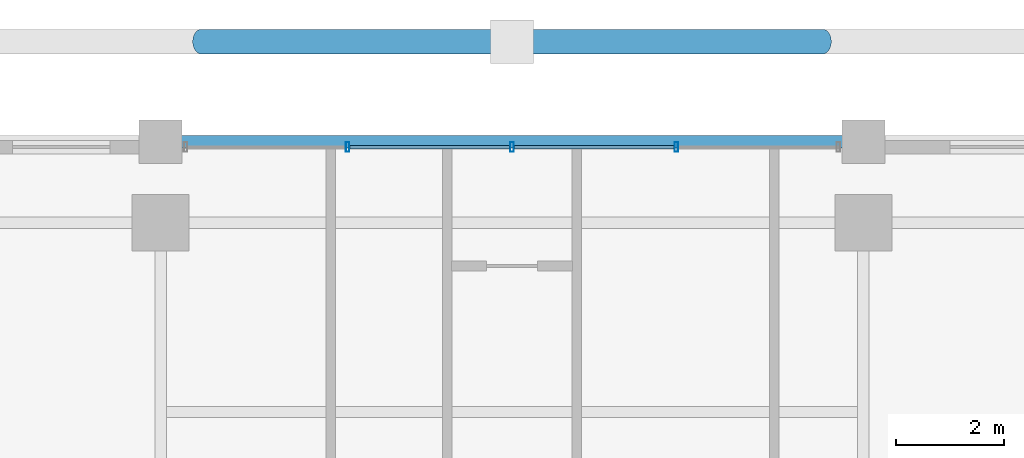
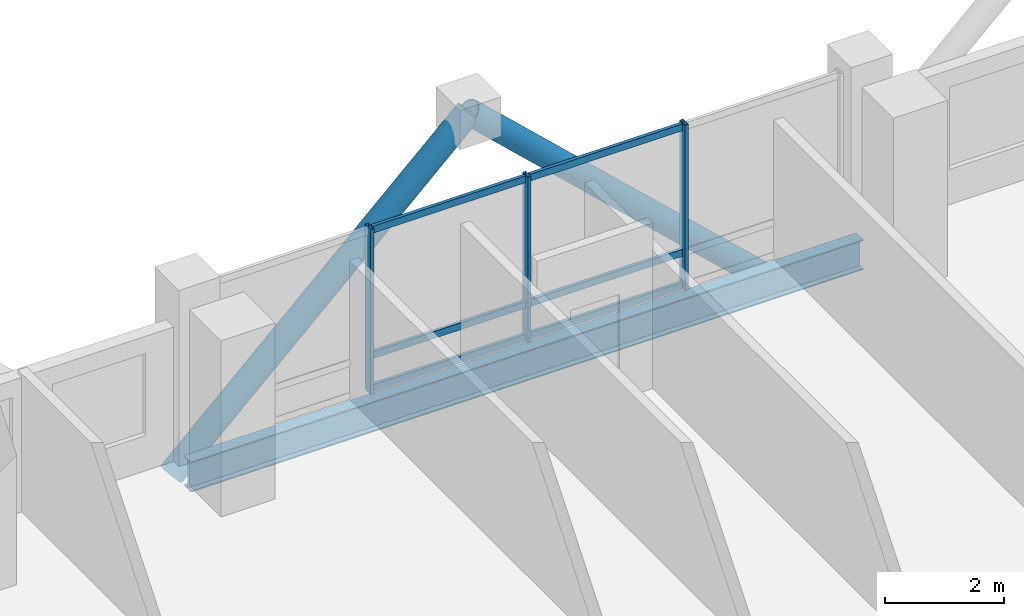
# One storey, part 15 of 23: 11 members, 1 beam, 1 element without a shape of its own.
"""IFC4 building model written with IfcOpenShell, lengths in metres."""

from ifc_helpers import new_model, si_unit, direction, frame, origin, origin_2d, place, context, subcontext, project, spatial, hollow_rectangle, hollow_circle, i_section, extrude, material, layer, layer_set, material_profile, profile_set, type_object, element, aggregate, save


model = new_model("IFC4")

# Units and contexts
model_context = context("Model", 3, precision=1e-05, world=origin(), true_north=direction((0.0, 1.0)))
body_context = subcontext(model_context, "Body", "Model", "MODEL_VIEW")
ifc_project = project(units=[si_unit("LENGTHUNIT", "METRE"), si_unit("AREAUNIT", "SQUARE_METRE"), si_unit("VOLUMEUNIT", "CUBIC_METRE"), si_unit("PLANEANGLEUNIT", "RADIAN"), si_unit("MASSUNIT", "GRAM", prefix="KILO")], contexts=[model_context])

# Site, building, storey
site_placement = place(None, origin())
site = spatial("IfcSite", under=ifc_project, at=site_placement, CompositionType="ELEMENT")
building_placement = place(site_placement, origin())
building = spatial("IfcBuilding", under=site, at=building_placement, Name="Barlavira Tower and Art Museum", CompositionType="ELEMENT")
storey_placement = place(building_placement, frame((0.0, 0.0, 205.199951171875)))
storey = spatial("IfcBuildingStorey", under=building, at=storey_placement, Name="L53", CompositionType="ELEMENT", Elevation=205.199951171875)

# Curtain wall, members
ifc_material_1 = material(Name="Low-iron coastal laminated glass", Category="glass")
ifc_layer = layer(ifc_material_1, 0.199951171875, Name="Low-iron coastal laminated glass")
ifc_layer_set = layer_set([ifc_layer], Name="Low-iron coastal laminated glass")
curtain_wall_type = type_object("IfcCurtainWallType", Name="Pale-Metal Unitised Curtain Wall Zone 3", PredefinedType="NOTDEFINED", material=ifc_layer_set)
curtain_wall_placement = place(storey_placement, origin())
curtain_wall = element("IfcCurtainWall", 1, at=curtain_wall_placement, inside=storey, type_object=curtain_wall_type, Name="L53 Curtain Wall CW3-L53-N-B3", PredefinedType="NOTDEFINED")
ifc_material_2 = material(Name="Pale anodised aluminium", Category="aluminium")
ifc_material_profile_1 = material_profile(ifc_material_2, hollow_rectangle(XDim=0.06494140625, YDim=0.179931640625, WallThickness=0.00390625, at=origin_2d()), Name="ALU-MULL 65x180x4")
ifc_profile_set_1 = profile_set([ifc_material_profile_1], Name="Pale anodised aluminium")
member_type_1 = type_object("IfcMemberType", Name="Curtain Wall Pale-Metal Mullion 65x180", PredefinedType="MULLION", material=ifc_profile_set_1)
member_1_placement = place(storey_placement, frame((3.0400390625, 21.39990234375, 0.0), z_axis=(0.0, 0.0, 1.0), x_axis=(-1.0, 0.0, 0.0)))
member_1 = element("IfcMember", 2, at=member_1_placement, type_object=member_type_1, Name="CW3-L53-N-B3 Mullion 1", PredefinedType="MULLION", context=body_context, shape_type="SweptSolid", body=[
    extrude(hollow_rectangle(XDim=0.06494140625, YDim=0.179931640625, WallThickness=0.00390625, at=origin_2d()), origin(), (0.0, 0.0, 1.0), 3.380126953125),
])
member_2_placement = place(storey_placement, frame((0.0, 21.39990234375, 0.0), z_axis=(0.0, 0.0, 1.0), x_axis=(-1.0, 0.0, 0.0)))
member_2 = element("IfcMember", 3, at=member_2_placement, type_object=member_type_1, Name="CW3-L53-N-B3 Mullion 2", PredefinedType="MULLION", context=body_context, shape_type="SweptSolid", body=[
    extrude(hollow_rectangle(XDim=0.06494140625, YDim=0.179931640625, WallThickness=0.00390625, at=origin_2d()), origin(), (0.0, 0.0, 1.0), 3.380126953125),
])
member_3_placement = place(storey_placement, frame((-3.0400390625, 21.39990234375, 0.0), z_axis=(0.0, 0.0, 1.0), x_axis=(-1.0, 0.0, 0.0)))
member_3 = element("IfcMember", 4, at=member_3_placement, type_object=member_type_1, Name="CW3-L53-N-B3 Mullion 3", PredefinedType="MULLION", context=body_context, shape_type="SweptSolid", body=[
    extrude(hollow_rectangle(XDim=0.06494140625, YDim=0.179931640625, WallThickness=0.00390625, at=origin_2d()), origin(), (0.0, 0.0, 1.0), 3.380126953125),
])
ifc_material_profile_2 = material_profile(ifc_material_2, hollow_rectangle(XDim=0.06494140625, YDim=0.139892578125, WallThickness=0.00390625, at=origin_2d()), Name="ALU-TRAN 65x140x4")
ifc_profile_set_2 = profile_set([ifc_material_profile_2], Name="Pale anodised aluminium")
member_type_2 = type_object("IfcMemberType", Name="Curtain Wall Pale-Metal Transom 65x140", PredefinedType="USERDEFINED", material=ifc_profile_set_2)
member_4_placement = place(storey_placement, frame((2.9951171875, 21.39990234375, 0.070068359375), z_axis=(-1.0, 0.0, 0.0), x_axis=(0.0, -1.0, 0.0)))
member_4 = element("IfcMember", 5, at=member_4_placement, type_object=member_type_2, Name="CW3-L53-N-B3 Transom 1.1", ObjectType="TRANSOM", PredefinedType="USERDEFINED", context=body_context, shape_type="SweptSolid", body=[
    extrude(hollow_rectangle(XDim=0.06494140625, YDim=0.139892578125, WallThickness=0.00390625, at=origin_2d()), origin(), (0.0, 0.0, 1.0), 2.9501953125),
])
member_5_placement = place(storey_placement, frame((2.9951171875, 21.39990234375, 0.744140625), z_axis=(-1.0, 0.0, 0.0), x_axis=(0.0, -1.0, 0.0)))
member_5 = element("IfcMember", 6, at=member_5_placement, type_object=member_type_2, Name="CW3-L53-N-B3 Transom 1.2", ObjectType="TRANSOM", PredefinedType="USERDEFINED", context=body_context, shape_type="SweptSolid", body=[
    extrude(hollow_rectangle(XDim=0.06494140625, YDim=0.139892578125, WallThickness=0.00390625, at=origin_2d()), origin(), (0.0, 0.0, 1.0), 2.9501953125),
])
member_6_placement = place(storey_placement, frame((2.9951171875, 21.39990234375, 3.31005859375), z_axis=(-1.0, 0.0, 0.0), x_axis=(0.0, -1.0, 0.0)))
member_6 = element("IfcMember", 7, at=member_6_placement, type_object=member_type_2, Name="CW3-L53-N-B3 Transom 1.3", ObjectType="TRANSOM", PredefinedType="USERDEFINED", context=body_context, shape_type="SweptSolid", body=[
    extrude(hollow_rectangle(XDim=0.06494140625, YDim=0.139892578125, WallThickness=0.00390625, at=origin_2d()), origin(), (0.0, 0.0, 1.0), 2.9501953125),
])
member_7_placement = place(storey_placement, frame((-0.044921875, 21.39990234375, 0.070068359375), z_axis=(-1.0, 0.0, 0.0), x_axis=(0.0, -1.0, 0.0)))
member_7 = element("IfcMember", 8, at=member_7_placement, type_object=member_type_2, Name="CW3-L53-N-B3 Transom 2.1", ObjectType="TRANSOM", PredefinedType="USERDEFINED", context=body_context, shape_type="SweptSolid", body=[
    extrude(hollow_rectangle(XDim=0.06494140625, YDim=0.139892578125, WallThickness=0.00390625, at=origin_2d()), origin(), (0.0, 0.0, 1.0), 2.9501953125),
])
member_8_placement = place(storey_placement, frame((-0.044921875, 21.39990234375, 0.744140625), z_axis=(-1.0, 0.0, 0.0), x_axis=(0.0, -1.0, 0.0)))
member_8 = element("IfcMember", 9, at=member_8_placement, type_object=member_type_2, Name="CW3-L53-N-B3 Transom 2.2", ObjectType="TRANSOM", PredefinedType="USERDEFINED", context=body_context, shape_type="SweptSolid", body=[
    extrude(hollow_rectangle(XDim=0.06494140625, YDim=0.139892578125, WallThickness=0.00390625, at=origin_2d()), origin(), (0.0, 0.0, 1.0), 2.9501953125),
])
member_9_placement = place(storey_placement, frame((-0.044921875, 21.39990234375, 3.31005859375), z_axis=(-1.0, 0.0, 0.0), x_axis=(0.0, -1.0, 0.0)))
member_9 = element("IfcMember", 10, at=member_9_placement, type_object=member_type_2, Name="CW3-L53-N-B3 Transom 2.3", ObjectType="TRANSOM", PredefinedType="USERDEFINED", context=body_context, shape_type="SweptSolid", body=[
    extrude(hollow_rectangle(XDim=0.06494140625, YDim=0.139892578125, WallThickness=0.00390625, at=origin_2d()), origin(), (0.0, 0.0, 1.0), 2.9501953125),
])
aggregate(curtain_wall, [member_1, member_2, member_3, member_4, member_5, member_6, member_7, member_8, member_9])

# Members
ifc_material_3 = material(Name="Steel S355", Category="steel")
ifc_material_profile_3 = material_profile(ifc_material_3, hollow_circle(Radius=0.228515625, WallThickness=0.02001953125, at=origin_2d()), Name="CHS 457.0x20.0")
ifc_profile_set_3 = profile_set([ifc_material_profile_3], Name="Steel S355")
member_type_3 = type_object("IfcMemberType", Name="Pale-Metal Exoskeleton Diagrid Tube CHS 457x20 Steel S355", PredefinedType="BRACE", material=ifc_profile_set_3)
for number, where, z_axis, x_axis, name in (
    (11, (-5.75, 23.35009765625, -1.919921875), (0.728950095515, 0.0, 0.684566839869), (0.0, 1.0, 0.0), "L53 Exoskeleton Diagrid Tube N"),
    (12, (5.75, 23.35009765625, -1.919921875), (-0.728950095515, 0.0, 0.684566839869), (0.0, -1.0, 0.0), "L53 Exoskeleton Diagrid Tube N"),
):
    element("IfcMember", number, at=place(storey_placement, frame(where, z_axis=z_axis, x_axis=x_axis)), inside=storey, type_object=member_type_3, Name=name, PredefinedType="BRACE", context=body_context, shape_type="SweptSolid", body=[
        extrude(hollow_circle(Radius=0.228515625, WallThickness=0.02001953125, at=origin_2d()), origin(), (0.0, 0.0, 1.0), 7.887939453125),
    ])

# Beam
ifc_material_profile_4 = material_profile(ifc_material_3, i_section(OverallWidth=0.22998046875, OverallDepth=0.616943359375, WebThickness=0.01318359375, FlangeThickness=0.022216796875, at=origin_2d()), Name="W610x140.0")
ifc_profile_set_4 = profile_set([ifc_material_profile_4], Name="Steel S355")
beam_type = type_object("IfcBeamType", Name="Upper Shaft Spandrel Edge Beam W610x140 Steel S355", PredefinedType="SPANDREL", material=ifc_profile_set_4)
beam_placement = place(storey_placement, frame((-6.5, 21.5, -0.528564453125), z_axis=(1.0, 0.0, 0.0), x_axis=(0.0, 1.0, 0.0)))
element("IfcBeam", 13, at=beam_placement, inside=storey, type_object=beam_type, Name="L53 Spandrel 10", PredefinedType="SPANDREL", context=body_context, shape_type="SweptSolid", body=[
    extrude(i_section(OverallWidth=0.22998046875, OverallDepth=0.616943359375, WebThickness=0.01318359375, FlangeThickness=0.022216796875, at=origin_2d()), origin(), (0.0, 0.0, 1.0), 13.0),
])

save(model, "model.ifc")
